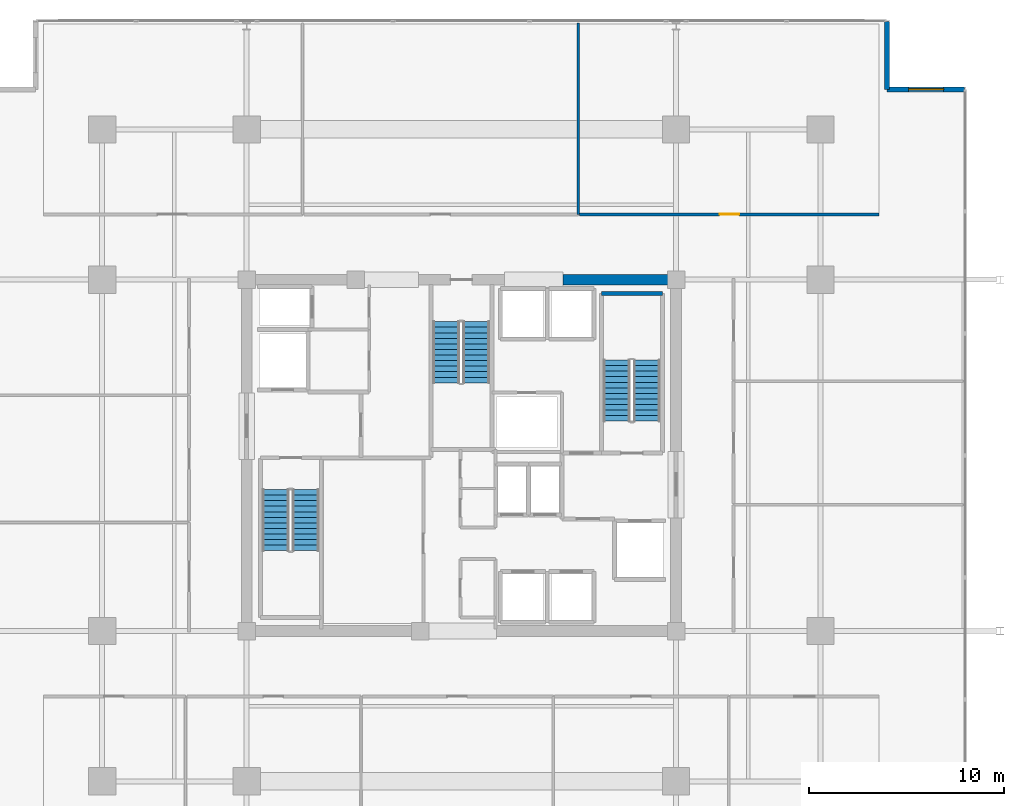
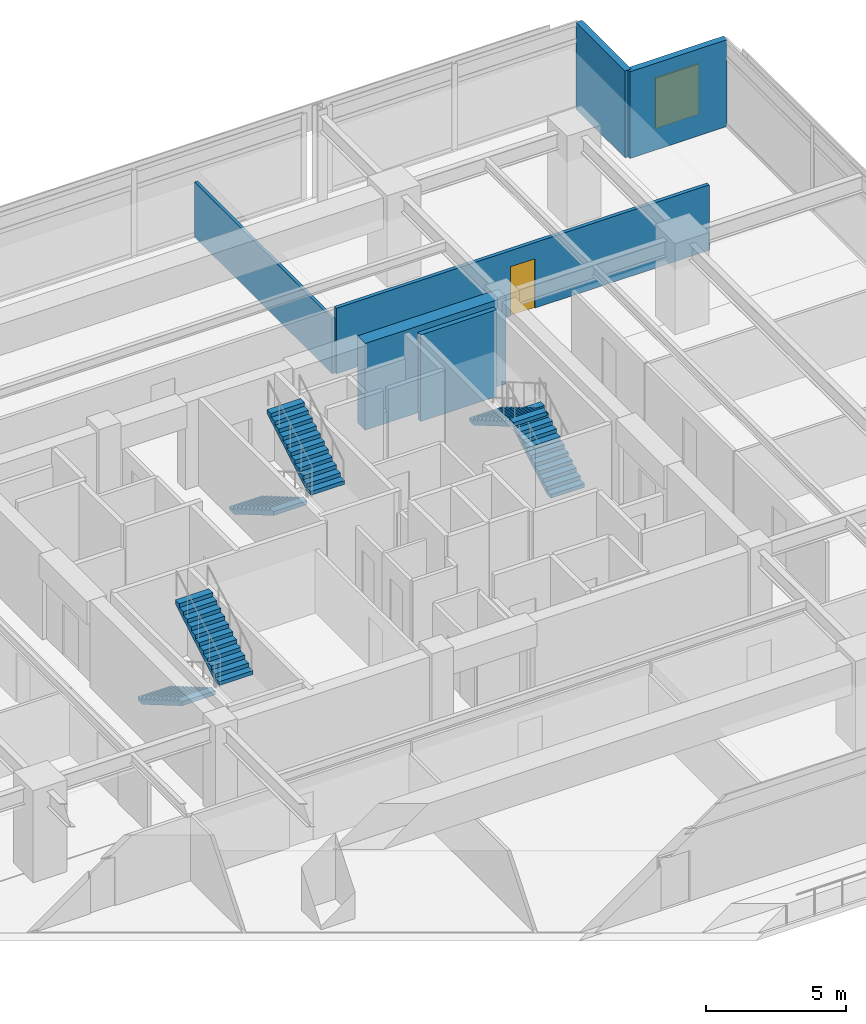
# One storey, part 17 of 22: 6 stair flights, 6 walls, 1 door, 1 window, 2 openings, 3 elements without a shape of their own.
"""IFC4 building model written with IfcOpenShell, lengths in metres."""

from ifc_helpers import new_model, si_unit, direction, frame, frame_2d, origin, place, context, subcontext, project, spatial, polyline, rectangle, outline, extrude, material, layer, layer_set, type_object, element, fill, aggregate, save


model = new_model("IFC4")

# Units and contexts
model_context = context("Model", 3, precision=1e-05, world=origin(), true_north=direction((0.0, 1.0)))
body_context = subcontext(model_context, "Body", "Model", "MODEL_VIEW")
ifc_project = project(units=[si_unit("LENGTHUNIT", "METRE"), si_unit("AREAUNIT", "SQUARE_METRE"), si_unit("VOLUMEUNIT", "CUBIC_METRE"), si_unit("PLANEANGLEUNIT", "RADIAN"), si_unit("MASSUNIT", "GRAM", prefix="KILO")], contexts=[model_context])

# Site, building, storey
site_placement = place(None, origin())
site = spatial("IfcSite", under=ifc_project, at=site_placement, CompositionType="ELEMENT")
building_placement = place(site_placement, origin())
building = spatial("IfcBuilding", under=site, at=building_placement, Name="Kovane Verandah Tower", CompositionType="ELEMENT")
storey_placement = place(building_placement, frame((0.0, 0.0, 225.199951171875)))
storey = spatial("IfcBuildingStorey", under=building, at=storey_placement, Name="L52", CompositionType="ELEMENT", Elevation=225.199951171875)

# Wall, opening, door
ifc_material_1 = material(Name="Fire-Rated Gypsum Stud Partition", Category="gypsum")
ifc_layer_1 = layer(ifc_material_1, 0.14990234375)
ifc_layer_set_1 = layer_set([ifc_layer_1], Name="Fire-Rated Gypsum Stud Partition")
wall_type_1 = type_object("IfcWallType", Name="WL-COR-150", PredefinedType="PARTITIONING", material=ifc_layer_set_1)
wall_1_placement = place(storey_placement, frame((46.064697265625, 39.85009765625, 0.0), z_axis=(0.0, 0.0, 1.0), x_axis=(1.0, 0.0, 0.0)))
wall_1 = element("IfcWall", 1, at=wall_1_placement, inside=storey, type_object=wall_type_1, Name="L52 Focus Studio N3 Corridor Partition", PredefinedType="PARTITIONING", context=body_context, shape_type="SweptSolid", body=[
    extrude(rectangle(XDim=15.344970703125, YDim=0.14990234375, at=frame_2d((7.67236328125, 0.0))), origin(), (0.0, 0.0, 1.0), 2.85009765625),
])
opening_1_placement = place(wall_1_placement, frame((7.172607421875, 0.0, 0.0)))
opening_1 = element("IfcOpeningElement", 2, at=opening_1_placement, cuts=wall_1, Name="Opening DR-L52-019", PredefinedType="OPENING", context=body_context, shape_type="SweptSolid", body=[
    extrude(rectangle(XDim=1.0, YDim=2.14990234375, at=frame_2d((0.5, 1.074951171875))), frame((0.0, 0.074951171875, 0.0), z_axis=(0.0, -1.0, 0.0), x_axis=(1.0, 0.0, 0.0)), (0.0, 0.0, 1.0), 0.14990234375),
])
ifc_material_2 = material(Name="FSC Spotted-Gum Timber Fire-Rated Office Door", Category="wood")
door_type = type_object("IfcDoorType", Name="DR-OFF-1000", OperationType="SINGLE_SWING_LEFT", PredefinedType="DOOR", material=ifc_material_2)
door_placement = place(opening_1_placement, origin())
door = element("IfcDoor", 3, at=door_placement, inside=storey, type_object=door_type, Name="L52 Focus Studio N3 Entrance Door", OperationType="SINGLE_SWING_LEFT", OverallHeight=2.14990234375, OverallWidth=1.0, PredefinedType="DOOR", context=body_context, shape_type="SweptSolid", body=[
    extrude(rectangle(XDim=1.0, YDim=2.14990234375, at=frame_2d((0.5, 1.074951171875))), frame((0.0, 0.02490234375, 0.0), z_axis=(0.0, -1.0, 0.0), x_axis=(1.0, 0.0, 0.0)), (0.0, 0.0, 1.0), 0.050048828125),
])
fill(opening_1, door)

# Walls
ifc_material_3 = material(Name="Concrete C60/75", Category="concrete")
ifc_layer_2 = layer(ifc_material_3, 0.550048828125)
ifc_layer_set_2 = layer_set([ifc_layer_2], Name="Concrete C60/75")
wall_type_2 = type_object("IfcWallType", Name="WL-CORE-550", PredefinedType="SHEAR", material=ifc_layer_set_2)
wall_2_placement = place(storey_placement, frame((45.199951171875, 36.5, 0.0), z_axis=(0.0, 0.0, 1.0), x_axis=(1.0, 0.0, 0.0)))
element("IfcWall", 4, at=wall_2_placement, inside=storey, type_object=wall_type_2, Name="L52 Core Shear Wall CN-3", PredefinedType="SHEAR", context=body_context, shape_type="SweptSolid", body=[
    extrude(rectangle(XDim=5.800048828125, YDim=0.550048828125, at=frame_2d((2.89990234375, 0.0))), origin(), (0.0, 0.0, 1.0), 3.775146484375),
])
ifc_material_4 = material(Name="Acoustic Fire-Rated Gypsum Partition", Category="gypsum")
ifc_layer_3 = layer(ifc_material_4, 0.1201171875)
ifc_layer_set_3 = layer_set([ifc_layer_3], Name="Acoustic Fire-Rated Gypsum Partition")
wall_type_3 = type_object("IfcWallType", Name="WL-PART-120", PredefinedType="PARTITIONING", material=ifc_layer_set_3)
wall_3_placement = place(storey_placement, frame((45.99462890625, 39.85009765625, 0.0), z_axis=(0.0, 0.0, 1.0), x_axis=(0.0, 1.0, 0.0)))
element("IfcWall", 5, at=wall_3_placement, inside=storey, type_object=wall_type_3, Name="L52 Meeting Room N2 Dividing Partition", PredefinedType="PARTITIONING", context=body_context, shape_type="SweptSolid", body=[
    extrude(rectangle(XDim=9.80615234375, YDim=0.1201171875, at=frame_2d((4.903076171875, 0.0))), origin(), (0.0, 0.0, 1.0), 2.405029296875),
])
ifc_material_5 = material(Name="Concrete C45/55", Category="concrete")
ifc_layer_4 = layer(ifc_material_5, 0.199951171875)
ifc_layer_set_4 = layer_set([ifc_layer_4], Name="Concrete C45/55")
wall_type_4 = type_object("IfcWallType", Name="WL-SHAFT-200", PredefinedType="SOLIDWALL", material=ifc_layer_set_4)
wall_4_placement = place(storey_placement, frame((47.179931640625, 35.800048828125, 0.0), z_axis=(0.0, 0.0, 1.0), x_axis=(1.0, 0.0, 0.0)))
element("IfcWall", 6, at=wall_4_placement, inside=storey, type_object=wall_type_4, Name="W-L52-ST02-N", PredefinedType="SOLIDWALL", context=body_context, shape_type="SweptSolid", body=[
    extrude(rectangle(XDim=3.1201171875, YDim=0.199951171875, at=frame_2d((1.56005859375, 0.0))), origin(), (0.0, 0.0, 1.0), 3.775146484375),
])

# Wall, opening, window
ifc_material_6 = material(Name="Concrete C45/55 Insulated Spandrel Wall", Category="concrete")
ifc_layer_5 = layer(ifc_material_6, 0.260009765625)
ifc_layer_set_5 = layer_set([ifc_layer_5], Name="Concrete C45/55 Insulated Spandrel Wall")
wall_type_5 = type_object("IfcWallType", Name="WL-SPANDREL-260", PredefinedType="PARAPET", material=ifc_layer_set_5)
wall_5_placement = place(storey_placement, frame((65.809814453125, 46.25634765625, 0.0), z_axis=(0.0, 0.0, 1.0), x_axis=(-1.0, 0.0, 0.0)))
wall_5 = element("IfcWall", 7, at=wall_5_placement, inside=storey, type_object=wall_type_5, Name="L52 NE Notch Cheek Wall 1", PredefinedType="PARAPET", context=body_context, shape_type="SweptSolid", body=[
    extrude(rectangle(XDim=4.0, YDim=0.260009765625, at=frame_2d((2.0, 0.0))), origin(), (0.0, 0.0, 1.0), 3.775146484375),
])
opening_2_placement = place(wall_5_placement, frame((1.10009765625, 0.0, 0.85009765625)))
opening_2 = element("IfcOpeningElement", 8, at=opening_2_placement, cuts=wall_5, Name="Opening W-03", PredefinedType="OPENING", context=body_context, shape_type="SweptSolid", body=[
    extrude(rectangle(XDim=1.800048828125, YDim=2.199951171875, at=frame_2d((0.89990234375, 1.10009765625))), frame((0.0, 0.1298828125, 0.0), z_axis=(0.0, -1.0, 0.0), x_axis=(1.0, 0.0, 0.0)), (0.0, 0.0, 1.0), 0.260009765625),
])
ifc_material_7 = material(Name="Clear Low-E Laminated Double Glazing in Anodised Frame", Category="glass")
window_type = type_object("IfcWindowType", Name="WN-NOTCH-1800x2200", PartitioningType="SINGLE_PANEL", PredefinedType="WINDOW", material=ifc_material_7)
window_placement = place(opening_2_placement, origin())
window = element("IfcWindow", 9, at=window_placement, inside=storey, type_object=window_type, Name="L52 NE Re-Entrant Corner Operable Window", OverallHeight=2.199951171875, OverallWidth=1.800048828125, PartitioningType="SINGLE_PANEL", PredefinedType="WINDOW", context=body_context, shape_type="SweptSolid", body=[
    extrude(rectangle(XDim=1.800048828125, YDim=2.199951171875, at=frame_2d((0.89990234375, 1.10009765625))), frame((0.0, 0.030029296875, 0.0), z_axis=(0.0, -1.0, 0.0), x_axis=(1.0, 0.0, 0.0)), (0.0, 0.0, 1.0), 0.06005859375),
])
fill(opening_2, window)

# Wall
wall_6_placement = place(storey_placement, frame((61.809814453125, 46.25634765625, 0.0), z_axis=(0.0, 0.0, 1.0), x_axis=(0.0, 1.0, 0.0)))
element("IfcWall", 10, at=wall_6_placement, inside=storey, type_object=wall_type_5, Name="L52 NE Notch Cheek Wall 2", PredefinedType="PARAPET", context=body_context, shape_type="SweptSolid", body=[
    extrude(rectangle(XDim=3.5, YDim=0.260009765625, at=frame_2d((1.75, 0.0))), origin(), (0.0, 0.0, 1.0), 3.775146484375),
])

# Stair, stair flights
stair_type = type_object("IfcStairType", Name="ST-CORE-1380", PredefinedType="HALF_TURN_STAIR", material=ifc_material_5)
stair_1_placement = place(storey_placement, origin())
stair_1 = element("IfcStair", 11, at=stair_1_placement, inside=storey, type_object=stair_type, Name="L52 Exit Stair ST-01", PredefinedType="HALF_TURN_STAIR")
stair_flight_type = type_object("IfcStairFlightType", Name="STF-CORE-1380", PredefinedType="STRAIGHT", material=ifc_material_5)
stair_flight_1_placement = place(storey_placement, frame((30.489990234375, 25.75, 0.0), z_axis=(0.0, 0.0, 1.0), x_axis=(0.0, -1.0, 0.0)))
stair_flight_1 = element("IfcStairFlight", 12, at=stair_flight_1_placement, type_object=stair_flight_type, Name="ST-01 flight 1", NumberOfRisers=12, NumberOfTreads=11, PredefinedType="STRAIGHT", RiserHeight=0.166666667, TreadLength=0.285, context=body_context, shape_type="SweptSolid", body=[
    extrude(outline(polyline([(0.0, 0.0), (0.0, 0.166748046875), (0.284912109375, 0.166748046875), (0.284912109375, 0.333251953125), (0.570068359375, 0.333251953125), (0.570068359375, 0.5), (0.85498046875, 0.5), (0.85498046875, 0.666748046875), (1.139892578125, 0.666748046875), (1.139892578125, 0.833251953125), (1.425048828125, 0.833251953125), (1.425048828125, 1.0), (1.7099609375, 1.0), (1.7099609375, 1.166748046875), (1.9951171875, 1.166748046875), (1.9951171875, 1.333251953125), (2.280029296875, 1.333251953125), (2.280029296875, 1.5), (2.56494140625, 1.5), (2.56494140625, 1.666748046875), (2.85009765625, 1.666748046875), (2.85009765625, 1.833251953125), (3.135009765625, 1.833251953125), (3.135009765625, 2.0), (3.135009765625, 1.65966796875), (0.296875, 0.0), (0.0, 0.0)])), frame((0.0, 0.68994140625, 0.0), z_axis=(0.0, -1.0, 0.0), x_axis=(1.0, 0.0, 0.0)), (0.0, 0.0, 1.0), 1.3798828125),
])
stair_flight_2_placement = place(storey_placement, frame((32.030029296875, 22.614990234375, 2.0), z_axis=(0.0, 0.0, 1.0), x_axis=(0.0, 1.0, 0.0)))
stair_flight_2 = element("IfcStairFlight", 13, at=stair_flight_2_placement, type_object=stair_flight_type, Name="ST-01 flight 2", NumberOfRisers=12, NumberOfTreads=11, PredefinedType="STRAIGHT", RiserHeight=0.166666667, TreadLength=0.285, context=body_context, shape_type="SweptSolid", body=[
    extrude(outline(polyline([(0.0, 0.0), (0.0, 0.166748046875), (0.284912109375, 0.166748046875), (0.284912109375, 0.333251953125), (0.570068359375, 0.333251953125), (0.570068359375, 0.5), (0.85498046875, 0.5), (0.85498046875, 0.666748046875), (1.139892578125, 0.666748046875), (1.139892578125, 0.833251953125), (1.425048828125, 0.833251953125), (1.425048828125, 1.0), (1.7099609375, 1.0), (1.7099609375, 1.166748046875), (1.9951171875, 1.166748046875), (1.9951171875, 1.333251953125), (2.280029296875, 1.333251953125), (2.280029296875, 1.5), (2.56494140625, 1.5), (2.56494140625, 1.666748046875), (2.85009765625, 1.666748046875), (2.85009765625, 1.833251953125), (3.135009765625, 1.833251953125), (3.135009765625, 2.0), (3.135009765625, 1.65966796875), (0.296875, 0.0), (0.0, 0.0)])), frame((0.0, 0.68994140625, 0.0), z_axis=(0.0, -1.0, 0.0), x_axis=(1.0, 0.0, 0.0)), (0.0, 0.0, 1.0), 1.3798828125),
])
aggregate(stair_1, [stair_flight_1, stair_flight_2])

stair_2_placement = place(storey_placement, origin())
stair_2 = element("IfcStair", 14, at=stair_2_placement, inside=storey, type_object=stair_type, Name="L52 Exit Stair ST-02", PredefinedType="HALF_TURN_STAIR")
stair_flight_3_placement = place(storey_placement, frame((49.510009765625, 29.25, 0.0), z_axis=(0.0, 0.0, 1.0), x_axis=(0.0, 1.0, 0.0)))
stair_flight_3 = element("IfcStairFlight", 15, at=stair_flight_3_placement, type_object=stair_flight_type, Name="ST-02 flight 1", NumberOfRisers=12, NumberOfTreads=11, PredefinedType="STRAIGHT", RiserHeight=0.166666667, TreadLength=0.285, context=body_context, shape_type="SweptSolid", body=[
    extrude(outline(polyline([(0.0, 0.0), (0.0, 0.166748046875), (0.284912109375, 0.166748046875), (0.284912109375, 0.333251953125), (0.570068359375, 0.333251953125), (0.570068359375, 0.5), (0.85498046875, 0.5), (0.85498046875, 0.666748046875), (1.139892578125, 0.666748046875), (1.139892578125, 0.833251953125), (1.425048828125, 0.833251953125), (1.425048828125, 1.0), (1.7099609375, 1.0), (1.7099609375, 1.166748046875), (1.9951171875, 1.166748046875), (1.9951171875, 1.333251953125), (2.280029296875, 1.333251953125), (2.280029296875, 1.5), (2.56494140625, 1.5), (2.56494140625, 1.666748046875), (2.85009765625, 1.666748046875), (2.85009765625, 1.833251953125), (3.135009765625, 1.833251953125), (3.135009765625, 2.0), (3.135009765625, 1.65966796875), (0.296875, 0.0), (0.0, 0.0)])), frame((0.0, 0.68994140625, 0.0), z_axis=(0.0, -1.0, 0.0), x_axis=(1.0, 0.0, 0.0)), (0.0, 0.0, 1.0), 1.3798828125),
])
stair_flight_4_placement = place(storey_placement, frame((47.969970703125, 32.385009765625, 2.0), z_axis=(0.0, 0.0, 1.0), x_axis=(0.0, -1.0, 0.0)))
stair_flight_4 = element("IfcStairFlight", 16, at=stair_flight_4_placement, type_object=stair_flight_type, Name="ST-02 flight 2", NumberOfRisers=12, NumberOfTreads=11, PredefinedType="STRAIGHT", RiserHeight=0.166666667, TreadLength=0.285, context=body_context, shape_type="SweptSolid", body=[
    extrude(outline(polyline([(0.0, 0.0), (0.0, 0.166748046875), (0.284912109375, 0.166748046875), (0.284912109375, 0.333251953125), (0.570068359375, 0.333251953125), (0.570068359375, 0.5), (0.85498046875, 0.5), (0.85498046875, 0.666748046875), (1.139892578125, 0.666748046875), (1.139892578125, 0.833251953125), (1.425048828125, 0.833251953125), (1.425048828125, 1.0), (1.7099609375, 1.0), (1.7099609375, 1.166748046875), (1.9951171875, 1.166748046875), (1.9951171875, 1.333251953125), (2.280029296875, 1.333251953125), (2.280029296875, 1.5), (2.56494140625, 1.5), (2.56494140625, 1.666748046875), (2.85009765625, 1.666748046875), (2.85009765625, 1.833251953125), (3.135009765625, 1.833251953125), (3.135009765625, 2.0), (3.135009765625, 1.65966796875), (0.296875, 0.0), (0.0, 0.0)])), frame((0.0, 0.68994140625, 0.0), z_axis=(0.0, -1.0, 0.0), x_axis=(1.0, 0.0, 0.0)), (0.0, 0.0, 1.0), 1.3798828125),
])
aggregate(stair_2, [stair_flight_3, stair_flight_4])

stair_3_placement = place(storey_placement, origin())
stair_3 = element("IfcStair", 17, at=stair_3_placement, inside=storey, type_object=stair_type, Name="L52 Exit Stair ST-03", PredefinedType="HALF_TURN_STAIR")
stair_flight_5_placement = place(storey_placement, frame((39.22998046875, 34.35009765625, 0.0), z_axis=(0.0, 0.0, 1.0), x_axis=(0.0, -1.0, 0.0)))
stair_flight_5 = element("IfcStairFlight", 18, at=stair_flight_5_placement, type_object=stair_flight_type, Name="ST-03 flight 1", NumberOfRisers=12, NumberOfTreads=11, PredefinedType="STRAIGHT", RiserHeight=0.166666667, TreadLength=0.285, context=body_context, shape_type="SweptSolid", body=[
    extrude(outline(polyline([(0.0, 0.0), (0.0, 0.166748046875), (0.284912109375, 0.166748046875), (0.284912109375, 0.333251953125), (0.570068359375, 0.333251953125), (0.570068359375, 0.5), (0.85498046875, 0.5), (0.85498046875, 0.666748046875), (1.139892578125, 0.666748046875), (1.139892578125, 0.833251953125), (1.425048828125, 0.833251953125), (1.425048828125, 1.0), (1.7099609375, 1.0), (1.7099609375, 1.166748046875), (1.9951171875, 1.166748046875), (1.9951171875, 1.333251953125), (2.280029296875, 1.333251953125), (2.280029296875, 1.5), (2.56494140625, 1.5), (2.56494140625, 1.666748046875), (2.85009765625, 1.666748046875), (2.85009765625, 1.833251953125), (3.135009765625, 1.833251953125), (3.135009765625, 2.0), (3.135009765625, 1.65966796875), (0.296875, 0.0), (0.0, 0.0)])), frame((0.0, 0.68994140625, 0.0), z_axis=(0.0, -1.0, 0.0), x_axis=(1.0, 0.0, 0.0)), (0.0, 0.0, 1.0), 1.3798828125),
])
stair_flight_6_placement = place(storey_placement, frame((40.77001953125, 31.215087890625, 2.0), z_axis=(0.0, 0.0, 1.0), x_axis=(0.0, 1.0, 0.0)))
stair_flight_6 = element("IfcStairFlight", 19, at=stair_flight_6_placement, type_object=stair_flight_type, Name="ST-03 flight 2", NumberOfRisers=12, NumberOfTreads=11, PredefinedType="STRAIGHT", RiserHeight=0.166666667, TreadLength=0.285, context=body_context, shape_type="SweptSolid", body=[
    extrude(outline(polyline([(0.0, 0.0), (0.0, 0.166748046875), (0.284912109375, 0.166748046875), (0.284912109375, 0.333251953125), (0.570068359375, 0.333251953125), (0.570068359375, 0.5), (0.85498046875, 0.5), (0.85498046875, 0.666748046875), (1.139892578125, 0.666748046875), (1.139892578125, 0.833251953125), (1.425048828125, 0.833251953125), (1.425048828125, 1.0), (1.7099609375, 1.0), (1.7099609375, 1.166748046875), (1.9951171875, 1.166748046875), (1.9951171875, 1.333251953125), (2.280029296875, 1.333251953125), (2.280029296875, 1.5), (2.56494140625, 1.5), (2.56494140625, 1.666748046875), (2.85009765625, 1.666748046875), (2.85009765625, 1.833251953125), (3.135009765625, 1.833251953125), (3.135009765625, 2.0), (3.135009765625, 1.65966796875), (0.296875, 0.0), (0.0, 0.0)])), frame((0.0, 0.68994140625, 0.0), z_axis=(0.0, -1.0, 0.0), x_axis=(1.0, 0.0, 0.0)), (0.0, 0.0, 1.0), 1.3798828125),
])
aggregate(stair_3, [stair_flight_5, stair_flight_6])

save(model, "model.ifc")
